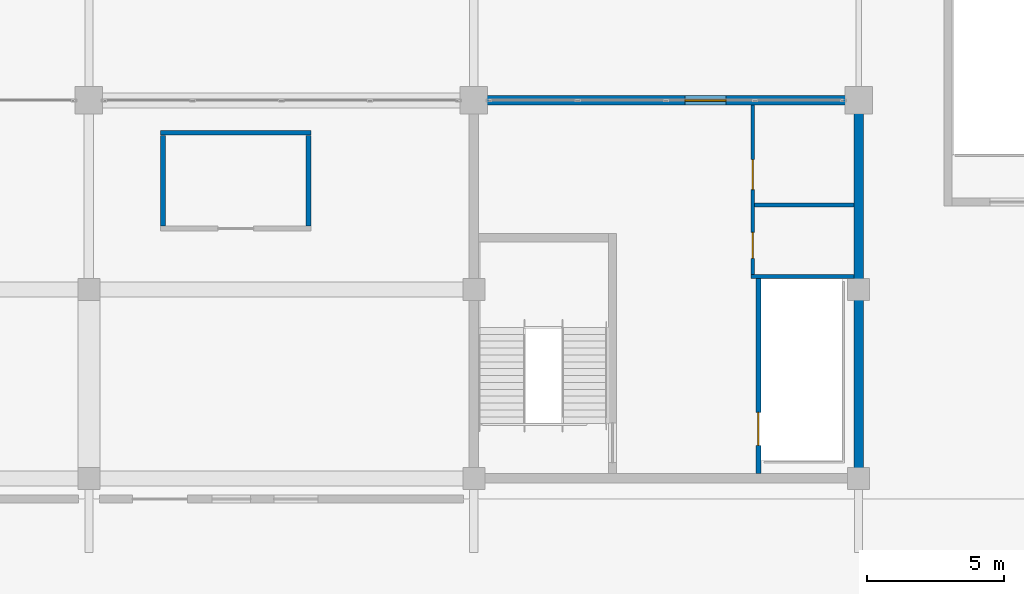
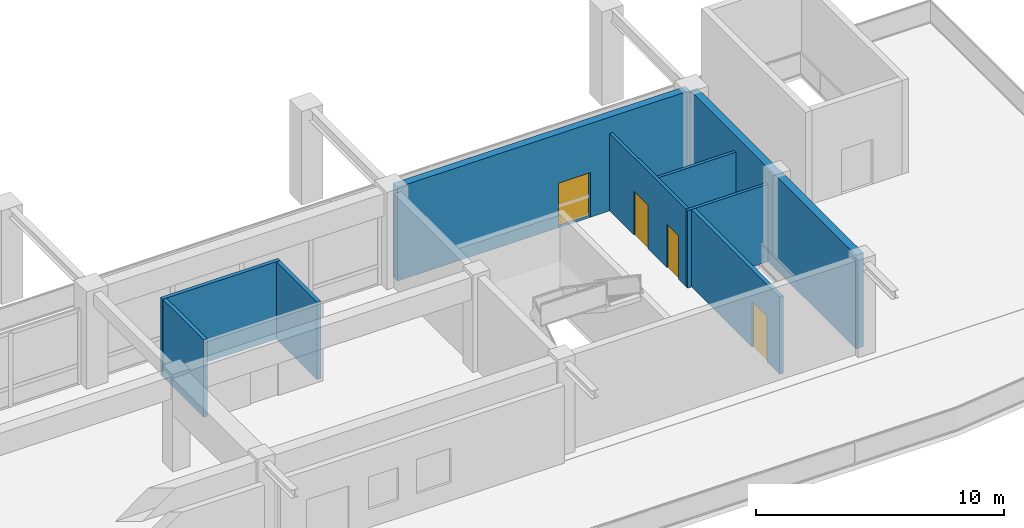
# One storey, part 65 of 91: 9 walls, 4 doors, 4 openings.
"""IFC4 building model written with IfcOpenShell, lengths in metres."""

import ifcopenshell
import ifcopenshell.guid

model = None  # the IFC model being written
_history = None  # IfcOwnerHistory: only IFC2X3 demands one
_inside = {}  # id of a spatial element -> (the spatial element, [elements in it])
_under = {}  # id of a project, library or spatial element -> (it, [spatial elements below it])
_declared = {}  # id of a project -> (the project, [libraries it declares])
_typed = {}  # id of a type object -> (the type object, [elements of that type])
_made_of = {}  # id of a material, layer set ... -> (it, [elements and type objects made of it])


def new_model(schema):
    """Start an empty IFC model of exactly this schema.

    Asked for "IFC4X3", IfcOpenShell would pick the latest addendum, in which some entities
    have other attributes; the version numbers below select the first issue.
    IFC2X3 requires an IfcOwnerHistory on every rooted entity: one is made here for all.
    """
    global model, _history
    if schema == "IFC4X3":
        model = ifcopenshell.file(schema_version=(4, 3, 0, 0))
    else:
        model = ifcopenshell.file(schema=schema)
    _inside.clear()
    _under.clear()
    _declared.clear()
    _typed.clear()
    _made_of.clear()
    _history = None
    if model.schema == "IFC2X3":
        org = make("IfcOrganization", Name="unknown")
        user = make(
            "IfcPersonAndOrganization",
            ThePerson=make("IfcPerson", FamilyName="unknown"),
            TheOrganization=org,
        )
        app = make(
            "IfcApplication",
            ApplicationDeveloper=org,
            Version="unknown",
            ApplicationFullName="unknown",
            ApplicationIdentifier="unknown",
        )
        _history = make(
            "IfcOwnerHistory",
            OwningUser=user,
            OwningApplication=app,
            ChangeAction="ADDED",
            CreationDate=0,
        )
    return model


def make(cls, **values):
    """One entity of the class cls with the attributes given. An attribute that is None is left unset."""
    return model.create_entity(
        cls, **{name: value for name, value in values.items() if value is not None}
    )


def rooted(cls, **values):
    """An entity with a GlobalId (a new one), such as an element, a storey or a relation."""
    return make(cls, GlobalId=ifcopenshell.guid.new(), OwnerHistory=_history, **values)


def si_unit(unit_type, name, prefix=None):
    """IfcSIUnit, for example si_unit("LENGTHUNIT", "METRE", prefix="MILLI")."""
    return make("IfcSIUnit", UnitType=unit_type, Prefix=prefix, Name=name)


def assignment(units):
    """IfcUnitAssignment: the units of a project."""
    return None if units is None else make("IfcUnitAssignment", Units=units)


def point(xyz):
    """IfcCartesianPoint."""
    return None if xyz is None else make("IfcCartesianPoint", Coordinates=xyz)


def direction(xyz):
    """IfcDirection."""
    return None if xyz is None else make("IfcDirection", DirectionRatios=xyz)


def frame(location, z_axis=None, x_axis=None):
    """IfcAxis2Placement3D, a coordinate frame: its origin and axes. An axis left out is left unset."""
    return make(
        "IfcAxis2Placement3D",
        Location=point(location),
        Axis=direction(z_axis),
        RefDirection=direction(x_axis),
    )


def frame_2d(location, x_axis=None):
    """IfcAxis2Placement2D, a coordinate frame in the plane: its origin and x axis."""
    return make(
        "IfcAxis2Placement2D", Location=point(location), RefDirection=direction(x_axis)
    )


def origin():
    """The frame at (0, 0, 0) with its axes left unset."""
    return frame((0.0, 0.0, 0.0))


def place(relative_to, where):
    """IfcLocalPlacement: puts the frame where relative to a parent placement (None: the world)."""
    return make(
        "IfcLocalPlacement", PlacementRelTo=relative_to, RelativePlacement=where
    )


def context(
    kind, dimensions, precision=None, world=None, true_north=None, identifier=None
):
    """IfcGeometricRepresentationContext, for example the 3D "Model" context."""
    return make(
        "IfcGeometricRepresentationContext",
        ContextIdentifier=identifier,
        ContextType=kind,
        CoordinateSpaceDimension=dimensions,
        Precision=precision,
        WorldCoordinateSystem=world,
        TrueNorth=true_north,
    )


def subcontext(parent, identifier, kind, view, scale=None):
    """IfcGeometricRepresentationSubContext, for example "Body" below "Model"."""
    return make(
        "IfcGeometricRepresentationSubContext",
        ContextIdentifier=identifier,
        ContextType=kind,
        ParentContext=parent,
        TargetScale=scale,
        TargetView=view,
    )


def project(units=None, contexts=None):
    """IfcProject with its units and contexts."""
    return rooted(
        "IfcProject",
        Name="project",
        RepresentationContexts=contexts,
        UnitsInContext=assignment(units),
    )


def spatial(cls, under=None, at=None, **own):
    """A site, building, storey or space (cls), placed at a placement, below another one or the project."""
    s = rooted(cls, ObjectPlacement=at, **own)
    if under is not None:
        _under.setdefault(under.id(), (under, []))[1].append(s)
    return s


def profile(cls, at=None, kind="AREA", **sizes):
    """A parametric profile (cls). Its sizes go by their IFC names, for example OverallWidth=200.0."""
    return make(cls, ProfileType=kind, Position=at, **sizes)


def rectangle(**sizes):
    """IfcRectangleProfileDef."""
    return profile("IfcRectangleProfileDef", **sizes)


def extrude(swept, where, along, depth):
    """IfcExtrudedAreaSolid: the profile swept, set in the frame where, extruded along a direction by depth."""
    return make(
        "IfcExtrudedAreaSolid",
        SweptArea=swept,
        Position=where,
        ExtrudedDirection=direction(along),
        Depth=depth,
    )


def shape(context_of_items, identifier, shape_type, items):
    """IfcShapeRepresentation: the items that make up one representation, for example the "Body"."""
    return make(
        "IfcShapeRepresentation",
        ContextOfItems=context_of_items,
        RepresentationIdentifier=identifier,
        RepresentationType=shape_type,
        Items=items,
    )


def material(Name=None, Category=None):
    """IfcMaterial."""
    return make("IfcMaterial", Name=Name, Category=Category)


def layer(
    of_material, thickness, ventilated=None, Name=None, Category=None, Priority=None
):
    """IfcMaterialLayer: one layer of a wall or slab, of a material (None: an air gap)."""
    return make(
        "IfcMaterialLayer",
        Material=of_material,
        LayerThickness=thickness,
        IsVentilated=ventilated,
        Name=Name,
        Category=Category,
        Priority=Priority,
    )


def layer_set(layers, Name=None):
    """IfcMaterialLayerSet."""
    return make("IfcMaterialLayerSet", MaterialLayers=layers, LayerSetName=Name)


def made_of(thing, what):
    """Note that an element or type object is made of a material, layer set ...; save() writes the relation."""
    if what is not None:
        _made_of.setdefault(what.id(), (what, []))[1].append(thing)
    return thing


def type_object(cls, material=None, **own):
    """A type object (cls), such as IfcWallType, which elements share."""
    return made_of(rooted(cls, **own), material)


def element(
    cls,
    number,
    at=None,
    inside=None,
    cuts=None,
    type_object=None,
    material=None,
    context=None,
    identifier="Body",
    shape_type=None,
    held_by="IfcProductDefinitionShape",
    body=None,
    shapes=None,
    **own,
):
    """One element of the class cls, such as IfcWall. Its Tag is "e" and its number.

    at: its placement. inside: the storey or other place that contains it. cuts: it is an
    opening in that element (IfcRelVoidsElement). A single representation is given by context,
    identifier, shape_type and body (its items); several are given by shapes. held_by: the class
    of the entity that holds the representations. save() writes the other relations.
    """
    e = rooted(cls, Tag="e%d" % number, ObjectPlacement=at, **own)
    if body is not None:
        shapes = [shape(context, identifier, shape_type, body)]
    if shapes is not None:
        e.Representation = make(held_by, Representations=shapes)
    if inside is not None:
        _inside.setdefault(inside.id(), (inside, []))[1].append(e)
    if cuts is not None:
        rooted(
            "IfcRelVoidsElement", RelatingBuildingElement=cuts, RelatedOpeningElement=e
        )
    if type_object is not None:
        _typed.setdefault(type_object.id(), (type_object, []))[1].append(e)
    return made_of(e, material)


def fill(opening, filler):
    """IfcRelFillsElement: the door or window that sits in an opening."""
    return rooted(
        "IfcRelFillsElement",
        RelatingOpeningElement=opening,
        RelatedBuildingElement=filler,
    )


def aggregate(whole, parts):
    """IfcRelAggregates: a whole, such as a stair, and the parts it consists of."""
    return rooted("IfcRelAggregates", RelatingObject=whole, RelatedObjects=parts)


def save(model, path):
    """Write the relations noted so far, then the file.

    IfcRelAggregates (storeys below a building ...), IfcRelContainedInSpatialStructure (elements
    in a storey), IfcRelDefinesByType, IfcRelAssociatesMaterial and IfcRelDeclares: one each for
    every whole, place, type object, material and project.
    """
    for whole, parts in _under.values():
        aggregate(whole, parts)
    for where, things in _inside.values():
        rooted(
            "IfcRelContainedInSpatialStructure",
            RelatedElements=things,
            RelatingStructure=where,
        )
    for kind, things in _typed.values():
        rooted("IfcRelDefinesByType", RelatedObjects=things, RelatingType=kind)
    for what, things in _made_of.values():
        rooted("IfcRelAssociatesMaterial", RelatedObjects=things, RelatingMaterial=what)
    for by, libraries in _declared.values():
        rooted("IfcRelDeclares", RelatingContext=by, RelatedDefinitions=libraries)
    model.write(path)


model = new_model("IFC4")

# Units and contexts
model_context = context("Model", 3, precision=1e-05, world=origin(), true_north=direction((0.0, 1.0)))
body_context = subcontext(model_context, "Body", "Model", "MODEL_VIEW")
ifc_project = project(units=[si_unit("LENGTHUNIT", "METRE"), si_unit("AREAUNIT", "SQUARE_METRE"), si_unit("VOLUMEUNIT", "CUBIC_METRE"), si_unit("PLANEANGLEUNIT", "RADIAN"), si_unit("MASSUNIT", "GRAM", prefix="KILO")], contexts=[model_context])

# Site, building, storey
site_placement = place(None, origin())
site = spatial("IfcSite", under=ifc_project, at=site_placement, CompositionType="ELEMENT")
building_placement = place(site_placement, origin())
building = spatial("IfcBuilding", under=site, at=building_placement, Name="Linyun Crest Stadium", CompositionType="ELEMENT")
storey_placement = place(building_placement, frame((0.0, 0.0, 11.39990234375)))
storey = spatial("IfcBuildingStorey", under=building, at=storey_placement, Name="L03", CompositionType="ELEMENT", Elevation=11.39990234375)

# Wall
ifc_material_1 = material(Name="Concrete C50", Category="concrete")
ifc_layer_1 = layer(ifc_material_1, 0.35009765625)
ifc_layer_set_1 = layer_set([ifc_layer_1], Name="Concrete C50")
wall_type_1 = type_object("IfcWallType", Name="CW01", PredefinedType="SHEAR", material=ifc_layer_set_1)
wall_1_placement = place(storey_placement, frame((28.0, -87.074951171875, 0.0), z_axis=(0.0, 0.0, 1.0), x_axis=(0.0, 1.0, 0.0)))
element("IfcWall", 1, at=wall_1_placement, inside=storey, type_object=wall_type_1, Name="Core shear wall CW01 CORE-S2 L03.2", PredefinedType="SHEAR", context=body_context, shape_type="SweptSolid", body=[
    extrude(rectangle(XDim=13.39990234375, YDim=0.35009765625, at=frame_2d((6.699951171875, 0.0))), origin(), (0.0, 0.0, 1.0), 4.6201171875),
])

# Wall, opening, door
wall_2_placement = place(storey_placement, frame((14.175048828125, -73.5, 0.0), z_axis=(0.0, 0.0, 1.0), x_axis=(1.0, 0.0, 0.0)))
wall_2 = element("IfcWall", 2, at=wall_2_placement, inside=storey, type_object=wall_type_1, Name="Core shear wall CW01 CORE-S2 L03.4", PredefinedType="SHEAR", context=body_context, shape_type="SweptSolid", body=[
    extrude(rectangle(XDim=13.64990234375, YDim=0.35009765625, at=frame_2d((6.824951171875, 0.0))), origin(), (0.0, 0.0, 1.0), 4.6201171875),
])
opening_1_placement = place(wall_2_placement, frame((7.507080078125, 0.0, 0.0)))
opening_1 = element("IfcOpeningElement", 3, at=opening_1_placement, cuts=wall_2, Name="Opening D-L03-356", PredefinedType="OPENING", context=body_context, shape_type="SweptSolid", body=[
    extrude(rectangle(XDim=1.5, YDim=2.199951171875, at=frame_2d((0.75, 1.10009765625))), frame((0.0, 0.18505859375, 0.0), z_axis=(0.0, -1.0, 0.0), x_axis=(1.0, 0.0, 0.0)), (0.0, 0.0, 1.0), 0.3701171875),
])
ifc_material_2 = material(Name="Galvanized steel Class A fire door", Category="steel")
ifc_layer_2 = layer(ifc_material_2, 0.054931640625)
ifc_layer_set_2 = layer_set([ifc_layer_2], Name="Galvanized steel Class A fire door")
door_type_1 = type_object("IfcDoorType", Name="FD01", OperationType="NOTDEFINED", PredefinedType="DOOR", material=ifc_layer_set_2)
door_1_placement = place(opening_1_placement, origin())
door_1 = element("IfcDoor", 4, at=door_1_placement, inside=storey, type_object=door_type_1, Name="Door D-L03-356", OperationType="SINGLE_SWING_RIGHT", OverallHeight=2.199951171875, OverallWidth=1.5, PredefinedType="DOOR", context=body_context, shape_type="SweptSolid", body=[
    extrude(rectangle(XDim=1.5, YDim=2.199951171875, at=frame_2d((0.75, 1.10009765625))), frame((0.0, 0.02490234375, 0.0), z_axis=(0.0, -1.0, 0.0), x_axis=(1.0, 0.0, 0.0)), (0.0, 0.0, 1.0), 0.050048828125),
])
fill(opening_1, door_1)

ifc_material_3 = material(Name="Autoclaved aerated concrete block fire partition", Category="concrete")
ifc_layer_3 = layer(ifc_material_3, 0.179931640625)
ifc_layer_set_3 = layer_set([ifc_layer_3], Name="Autoclaved aerated concrete block fire partition")
wall_type_2 = type_object("IfcWallType", Name="PW12", PredefinedType="PARTITIONING", material=ifc_layer_set_3)
wall_3_placement = place(storey_placement, frame((24.35009765625, -87.074951171875, 0.0), z_axis=(0.0, 0.0, 1.0), x_axis=(0.0, 1.0, 0.0)))
wall_3 = element("IfcWall", 5, at=wall_3_placement, inside=storey, type_object=wall_type_2, Name="Partition PW12 L03 127", PredefinedType="PARTITIONING", context=body_context, shape_type="SweptSolid", body=[
    extrude(rectangle(XDim=7.10498046875, YDim=0.179931640625, at=frame_2d((3.552490234375, 0.0))), origin(), (0.0, 0.0, 1.0), 3.820068359375),
])
opening_2_placement = place(wall_3_placement, frame((1.02490234375, 0.0, 0.0)))
opening_2 = element("IfcOpeningElement", 6, at=opening_2_placement, cuts=wall_3, Name="Opening LD105", PredefinedType="OPENING", context=body_context, shape_type="SweptSolid", body=[
    extrude(rectangle(XDim=1.199951171875, YDim=2.25, at=frame_2d((0.60009765625, 1.125))), frame((0.0, 0.099853515625, 0.0), z_axis=(0.0, -1.0, 0.0), x_axis=(1.0, 0.0, 0.0)), (0.0, 0.0, 1.0), 0.199951171875),
])
ifc_material_4 = material(Name="Brushed stainless sliding lift door")
ifc_layer_4 = layer(ifc_material_4, 0.050048828125)
ifc_layer_set_4 = layer_set([ifc_layer_4], Name="Brushed stainless sliding lift door")
door_type_2 = type_object("IfcDoorType", Name="LD02", OperationType="NOTDEFINED", PredefinedType="DOOR", material=ifc_layer_set_4)
door_2_placement = place(opening_2_placement, origin())
door_2 = element("IfcDoor", 7, at=door_2_placement, inside=storey, type_object=door_type_2, Name="Lift landing door LD105", OperationType="DOUBLE_DOOR_SLIDING", OverallHeight=2.25, OverallWidth=1.199951171875, PredefinedType="DOOR", context=body_context, shape_type="SweptSolid", body=[
    extrude(rectangle(XDim=1.199951171875, YDim=2.25, at=frame_2d((0.60009765625, 1.125))), frame((0.0, 0.02490234375, 0.0), z_axis=(0.0, -1.0, 0.0), x_axis=(1.0, 0.0, 0.0)), (0.0, 0.0, 1.0), 0.050048828125),
])
fill(opening_2, door_2)

# Wall, openings, doors
ifc_material_5 = material(Name="Moisture-resistant ceramic-tiled wet-room wall")
ifc_layer_5 = layer(ifc_material_5, 0.139892578125)
ifc_layer_set_5 = layer_set([ifc_layer_5], Name="Moisture-resistant ceramic-tiled wet-room wall")
wall_type_3 = type_object("IfcWallType", Name="PW15", PredefinedType="PARTITIONING", material=ifc_layer_set_5)
wall_4_placement = place(storey_placement, frame((24.14990234375, -79.830078125, 0.0), z_axis=(0.0, 0.0, 1.0), x_axis=(0.0, 1.0, 0.0)))
wall_4 = element("IfcWall", 8, at=wall_4_placement, inside=storey, type_object=wall_type_3, Name="Partition PW15 L03 128", PredefinedType="PARTITIONING", context=body_context, shape_type="SweptSolid", body=[
    extrude(rectangle(XDim=6.155029296875, YDim=0.139892578125, at=frame_2d((3.07763671875, 0.0))), origin(), (0.0, 0.0, 1.0), 3.820068359375),
])
opening_3_placement = place(wall_4_placement, frame((0.580078125, 0.0, 0.0)))
opening_3 = element("IfcOpeningElement", 9, at=opening_3_placement, cuts=wall_4, Name="Opening D-L03-359", PredefinedType="OPENING", context=body_context, shape_type="SweptSolid", body=[
    extrude(rectangle(XDim=0.949951171875, YDim=2.14990234375, at=frame_2d((0.47509765625, 1.074951171875))), frame((0.0, 0.079833984375, 0.0), z_axis=(0.0, -1.0, 0.0), x_axis=(1.0, 0.0, 0.0)), (0.0, 0.0, 1.0), 0.159912109375),
])
opening_4_placement = place(wall_4_placement, frame((3.080078125, 0.0, 0.0)))
opening_4 = element("IfcOpeningElement", 10, at=opening_4_placement, cuts=wall_4, Name="Opening D-L03-360", PredefinedType="OPENING", context=body_context, shape_type="SweptSolid", body=[
    extrude(rectangle(XDim=1.10009765625, YDim=2.14990234375, at=frame_2d((0.550048828125, 1.074951171875))), frame((0.0, 0.079833984375, 0.0), z_axis=(0.0, -1.0, 0.0), x_axis=(1.0, 0.0, 0.0)), (0.0, 0.0, 1.0), 0.159912109375),
])
ifc_material_6 = material(Name="Moisture-resistant laminate leaf")
ifc_layer_6 = layer(ifc_material_6, 0.044921875)
ifc_layer_set_6 = layer_set([ifc_layer_6], Name="Moisture-resistant laminate leaf")
door_type_3 = type_object("IfcDoorType", Name="ID02", OperationType="NOTDEFINED", PredefinedType="DOOR", material=ifc_layer_set_6)
door_3_placement = place(opening_3_placement, origin())
door_3 = element("IfcDoor", 11, at=door_3_placement, inside=storey, type_object=door_type_3, Name="Door D-L03-359", OperationType="SINGLE_SWING_LEFT", OverallHeight=2.14990234375, OverallWidth=0.949951171875, PredefinedType="DOOR", context=body_context, shape_type="SweptSolid", body=[
    extrude(rectangle(XDim=0.949951171875, YDim=2.14990234375, at=frame_2d((0.47509765625, 1.074951171875))), frame((0.0, 0.02490234375, 0.0), z_axis=(0.0, -1.0, 0.0), x_axis=(1.0, 0.0, 0.0)), (0.0, 0.0, 1.0), 0.050048828125),
])
fill(opening_3, door_3)
ifc_material_7 = material(Name="Moisture-resistant laminate leaf")
ifc_layer_7 = layer(ifc_material_7, 0.044921875)
ifc_layer_set_7 = layer_set([ifc_layer_7], Name="Moisture-resistant laminate leaf")
door_type_4 = type_object("IfcDoorType", Name="ID03", OperationType="NOTDEFINED", PredefinedType="DOOR", material=ifc_layer_set_7)
door_4_placement = place(opening_4_placement, origin())
door_4 = element("IfcDoor", 12, at=door_4_placement, inside=storey, type_object=door_type_4, Name="Door D-L03-360", OperationType="SINGLE_SWING_RIGHT", OverallHeight=2.14990234375, OverallWidth=1.10009765625, PredefinedType="DOOR", context=body_context, shape_type="SweptSolid", body=[
    extrude(rectangle(XDim=1.10009765625, YDim=2.14990234375, at=frame_2d((0.550048828125, 1.074951171875))), frame((0.0, 0.02490234375, 0.0), z_axis=(0.0, -1.0, 0.0), x_axis=(1.0, 0.0, 0.0)), (0.0, 0.0, 1.0), 0.050048828125),
])
fill(opening_4, door_4)

# Walls
wall_5_placement = place(storey_placement, frame((24.080078125, -79.89990234375, 0.0), z_axis=(0.0, 0.0, 1.0), x_axis=(1.0, 0.0, 0.0)))
element("IfcWall", 13, at=wall_5_placement, inside=storey, type_object=wall_type_3, Name="Enclosure partition PW15 L03 119", PredefinedType="PARTITIONING", context=body_context, shape_type="SweptSolid", body=[
    extrude(rectangle(XDim=3.744873046875, YDim=0.139892578125, at=frame_2d((1.87255859375, 0.0))), origin(), (0.0, 0.0, 1.0), 3.820068359375),
])
wall_6_placement = place(storey_placement, frame((24.219970703125, -77.300048828125, 0.0), z_axis=(0.0, 0.0, 1.0), x_axis=(1.0, 0.0, 0.0)))
element("IfcWall", 14, at=wall_6_placement, inside=storey, type_object=wall_type_3, Name="Enclosure partition PW15 L03 120", PredefinedType="PARTITIONING", context=body_context, shape_type="SweptSolid", body=[
    extrude(rectangle(XDim=3.60498046875, YDim=0.139892578125, at=frame_2d((1.802490234375, 0.0))), origin(), (0.0, 0.0, 1.0), 3.820068359375),
])
ifc_material_8 = material(Name="Concourse concession fire-rated masonry wall", Category="masonry")
ifc_layer_8 = layer(ifc_material_8, 0.175048828125)
ifc_layer_set_8 = layer_set([ifc_layer_8], Name="Concourse concession fire-rated masonry wall")
wall_type_4 = type_object("IfcWallType", Name="PW24", PredefinedType="PARTITIONING", material=ifc_layer_set_8)
wall_7_placement = place(storey_placement, frame((2.60693359375, -74.679931640625, 0.0), z_axis=(0.0, 0.0, 1.0), x_axis=(1.0, 0.0, 0.0)))
element("IfcWall", 15, at=wall_7_placement, inside=storey, type_object=wall_type_4, Name="Enclosure partition PW24 L03 355", PredefinedType="PARTITIONING", context=body_context, shape_type="SweptSolid", body=[
    extrude(rectangle(XDim=5.469970703125, YDim=0.175048828125, at=frame_2d((2.73486328125, 0.0))), origin(), (0.0, 0.0, 1.0), 3.820068359375),
])
for number, where, z_axis, x_axis, name in (
    (16, (2.695068359375, -78.072021484375, 0.0), (0.0, 0.0, 1.0), (0.0, 1.0, 0.0), "Enclosure partition PW24 L03 356"),
    (17, (7.989013671875, -78.072021484375, 0.0), (0.0, 0.0, 1.0), (0.0, 1.0, 0.0), "Enclosure partition PW24 L03 357"),
):
    element("IfcWall", number, at=place(storey_placement, frame(where, z_axis=z_axis, x_axis=x_axis)), inside=storey, type_object=wall_type_4, Name=name, PredefinedType="PARTITIONING", context=body_context, shape_type="SweptSolid", body=[
        extrude(rectangle(XDim=3.303955078125, YDim=0.175048828125, at=frame_2d((1.65185546875, 0.0))), origin(), (0.0, 0.0, 1.0), 3.820068359375),
    ])

save(model, "model.ifc")
